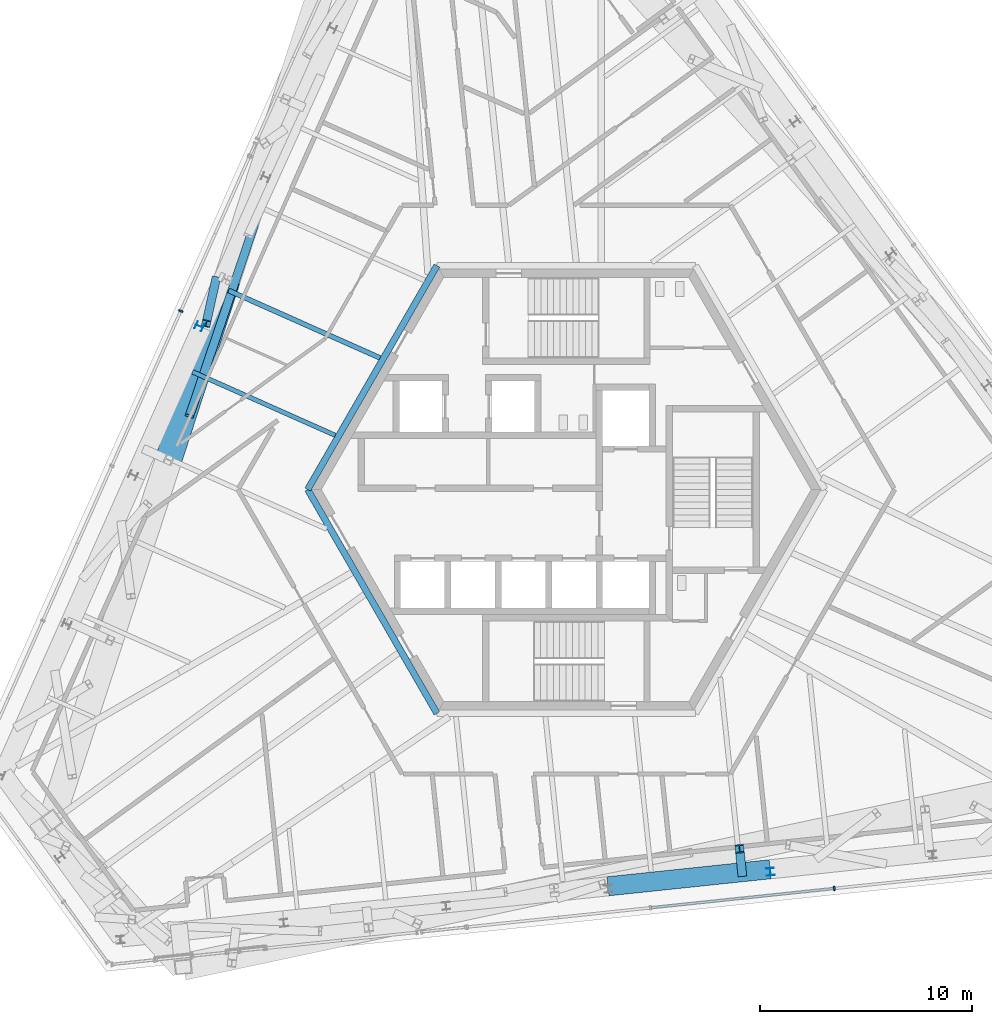
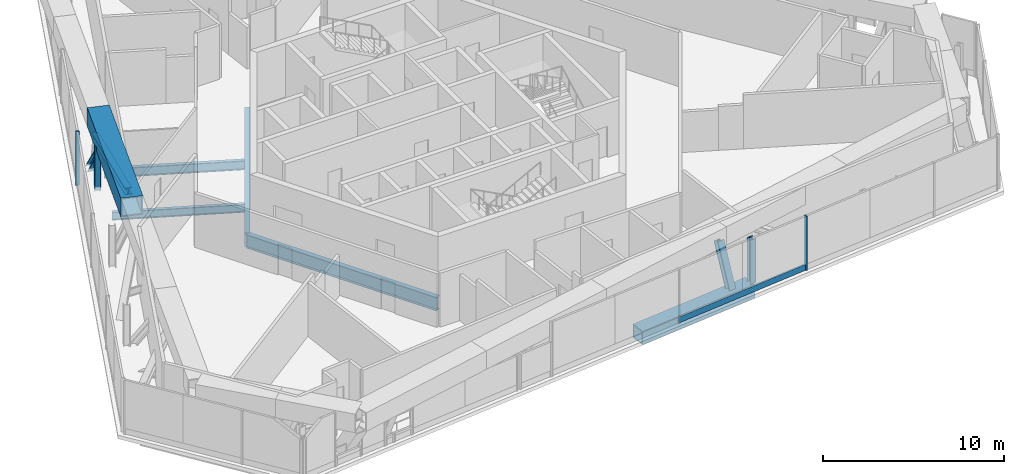
# One storey, part 3 of 23: 10 members, 4 beams, 2 elements without a shape of their own.
"""IFC4 building model written with IfcOpenShell, lengths in metres."""

from ifc_helpers import new_model, si_unit, direction, frame, origin, origin_2d, place, context, subcontext, project, spatial, rectangle, hollow_rectangle, i_section, extrude, source, transform, mapped, material, material_profile, profile_set, type_object, element, aggregate, save


model = new_model("IFC4")

# Units and contexts
model_context = context("Model", 3, precision=1e-05, world=origin(), true_north=direction((0.0, 1.0)))
body_context = subcontext(model_context, "Body", "Model", "MODEL_VIEW")
ifc_project = project(units=[si_unit("LENGTHUNIT", "METRE"), si_unit("AREAUNIT", "SQUARE_METRE"), si_unit("VOLUMEUNIT", "CUBIC_METRE"), si_unit("PLANEANGLEUNIT", "RADIAN"), si_unit("MASSUNIT", "GRAM", prefix="KILO")], contexts=[model_context])

# Site, building, storey
site_placement = place(None, origin())
site = spatial("IfcSite", under=ifc_project, at=site_placement, CompositionType="ELEMENT")
building_placement = place(site_placement, origin())
building = spatial("IfcBuilding", under=site, at=building_placement, Name="Triune Harvest Tower", CompositionType="ELEMENT")
storey_placement = place(building_placement, frame((0.0, 0.0, 255.699951171875)))
storey = spatial("IfcBuildingStorey", under=building, at=storey_placement, Name="L67", CompositionType="ELEMENT", Elevation=255.699951171875)

# Beams
ifc_material_1 = material(Name="Steel ASTM A992 Gr 50", Category="steel")
ifc_material_profile_1 = material_profile(ifc_material_1, i_section(OverallWidth=0.3046875, OverallDepth=0.914306640625, WebThickness=0.0166015625, FlangeThickness=0.02587890625, at=origin_2d()), Name="W36x160")
ifc_profile_set_1 = profile_set([ifc_material_profile_1], Name="Steel ASTM A992 Gr 50")
beam_type_1 = type_object("IfcBeamType", Name="CG-1 Core ring girder W36x160", PredefinedType="BEAM", material=ifc_profile_set_1)
shared_shape_1 = source(origin(), body_context, "Body", "SweptSolid", [
    extrude(i_section(OverallWidth=0.3046875, OverallDepth=0.914306640625, WebThickness=0.0166015625, FlangeThickness=0.02587890625, at=origin_2d()), origin(), (0.0, 0.0, 1.0), 12.176025390625),
])
for number, where, z_axis, x_axis, name in (
    (1, (-6.087890625, 10.544677734375, -0.70703125), (-0.5000099932, -0.866019634131, 0.0), (0.866019634131, -0.5000099932, 0.0), "beam/L67/CG3"),
    (2, (-12.176025390625, 0.0, -0.70703125), (0.5000099932, -0.866019634131, 0.0), (0.866019634131, 0.5000099932, 0.0), "beam/L67/CG4"),
):
    element("IfcBeam", number, at=place(storey_placement, frame(where, z_axis=z_axis, x_axis=x_axis)), inside=storey, type_object=beam_type_1, Name=name, PredefinedType="BEAM", context=body_context, shape_type="MappedRepresentation", body=[
        mapped(shared_shape_1, transform((0.0, 0.0, 0.0), scale=1.0)),
    ])
ifc_material_2 = material(Name="Steel ASTM A992 Gr 50", Category="steel")
ifc_material_profile_2 = material_profile(ifc_material_2, i_section(OverallWidth=0.22900390625, OverallDepth=0.612060546875, WebThickness=0.011962890625, FlangeThickness=0.01953125, at=origin_2d()), Name="W24x84")
ifc_profile_set_2 = profile_set([ifc_material_profile_2], Name="Steel ASTM A992 Gr 50")
beam_type_2 = type_object("IfcBeamType", Name="JT-3 Floor joist W24x84", PredefinedType="JOIST", material=ifc_profile_set_2)
shared_shape_2 = source(origin(), body_context, "Body", "SweptSolid", [
    extrude(i_section(OverallWidth=0.22900390625, OverallDepth=0.612060546875, WebThickness=0.011962890625, FlangeThickness=0.01953125, at=origin_2d()), origin(), (0.0, 0.0, 1.0), 7.802001953125),
])
beam_1_placement = place(storey_placement, frame((-15.900634765625, 9.3720703125, -0.55615234375), z_axis=(0.913545530184, -0.406736480144, 0.0), x_axis=(0.406736480144, 0.913545530184, 0.0)))
element("IfcBeam", 3, at=beam_1_placement, inside=storey, type_object=beam_type_2, Name="beam/L67/JT17", PredefinedType="JOIST", context=body_context, shape_type="MappedRepresentation", body=[
    mapped(shared_shape_2, transform((0.0, 0.0, 0.0), scale=1.0)),
])
ifc_material_3 = material(Name="Steel ASTM A992 Gr 50", Category="steel")
ifc_material_profile_3 = material_profile(ifc_material_3, i_section(OverallWidth=0.2099609375, OverallDepth=0.535888671875, WebThickness=0.010986328125, FlangeThickness=0.017333984375, at=origin_2d()), Name="W21x68")
ifc_profile_set_3 = profile_set([ifc_material_profile_3], Name="Steel ASTM A992 Gr 50")
beam_type_3 = type_object("IfcBeamType", Name="JT-2 Floor joist W21x68", PredefinedType="JOIST", material=ifc_profile_set_3)
shared_shape_3 = source(origin(), body_context, "Body", "SweptSolid", [
    extrude(i_section(OverallWidth=0.2099609375, OverallDepth=0.535888671875, WebThickness=0.010986328125, FlangeThickness=0.017333984375, at=origin_2d()), origin(), (0.0, 0.0, 1.0), 7.36181640625),
])
beam_2_placement = place(storey_placement, frame((-17.6044921875, 5.54541015625, -0.51806640625), z_axis=(0.913541940705, -0.406744542155, 0.0), x_axis=(0.406744542155, 0.913541940705, 0.0)))
element("IfcBeam", 4, at=beam_2_placement, inside=storey, type_object=beam_type_3, Name="beam/L67/JT18", PredefinedType="JOIST", context=body_context, shape_type="MappedRepresentation", body=[
    mapped(shared_shape_3, transform((0.0, 0.0, 0.0), scale=1.0)),
])

# Members
ifc_material_4 = material(Name="Steel ASTM A992 Gr 50", Category="steel")
ifc_material_profile_4 = material_profile(ifc_material_4, i_section(OverallWidth=0.368408203125, OverallDepth=0.355712890625, WebThickness=0.01123046875, FlangeThickness=0.01806640625, at=origin_2d()), Name="W14x90")
ifc_profile_set_4 = profile_set([ifc_material_profile_4], Name="Steel ASTM A992 Gr 50")
member_type_1 = type_object("IfcMemberType", Name="WP-6 Roof edge post W14x90", PredefinedType="POST", material=ifc_profile_set_4)
shared_shape_4 = source(origin(), body_context, "Body", "SweptSolid", [
    extrude(i_section(OverallWidth=0.368408203125, OverallDepth=0.355712890625, WebThickness=0.01123046875, FlangeThickness=0.01806640625, at=origin_2d()), origin(), (0.0, 0.0, 1.0), 2.9755859375),
])
for number, where, z_axis, x_axis, name in (
    (5, (-17.273193359375, 7.690673828125, -0.25), (0.0, 0.0, 1.0), (-0.406738237513, -0.913544747752, 0.0), "post/L67/W11"),
    (6, (9.61376953125, -18.001708984375, -0.25), (0.0, 0.0, 1.0), (0.99452171293, 0.104530199036, 0.0), "post/L67/W20"),
):
    element("IfcMember", number, at=place(storey_placement, frame(where, z_axis=z_axis, x_axis=x_axis)), inside=storey, type_object=member_type_1, Name=name, PredefinedType="POST", context=body_context, shape_type="MappedRepresentation", body=[
        mapped(shared_shape_4, transform((0.0, 0.0, 0.0), scale=1.0)),
    ])
ifc_material_5 = material(Name="Steel ASTM A572 Gr 50", Category="steel")
ifc_material_profile_5 = material_profile(ifc_material_5, hollow_rectangle(XDim=0.89990234375, YDim=0.89990234375, WallThickness=0.050048828125, at=origin_2d()), Name="Box 900x900x50")
ifc_profile_set_5 = profile_set([ifc_material_profile_5], Name="Steel ASTM A572 Gr 50")
member_type_2 = type_object("IfcMemberType", Name="TC-2 Belt truss chord Box 900x900x50", PredefinedType="CHORD", material=ifc_profile_set_5)
shared_shape_5 = source(origin(), body_context, "Body", "SweptSolid", [
    extrude(hollow_rectangle(XDim=0.89990234375, YDim=0.89990234375, WallThickness=0.050048828125, at=origin_2d()), origin(), (0.0, 0.0, 1.0), 7.679443359375),
])
member_1_placement = place(storey_placement, frame((1.9638671875, -18.68505859375, -0.699951171875), z_axis=(0.994521815363, 0.104529224464, 0.0), x_axis=(-0.104529224464, 0.994521815363, 0.0)))
element("IfcMember", 7, at=member_1_placement, inside=storey, type_object=member_type_2, Name="truss/L67/TCB20", PredefinedType="CHORD", context=body_context, shape_type="MappedRepresentation", body=[
    mapped(shared_shape_5, transform((0.0, 0.0, 0.0), scale=1.0)),
])
ifc_material_6 = material(Name="Steel ASTM A572 Gr 50", Category="steel")
ifc_material_profile_6 = material_profile(ifc_material_6, hollow_rectangle(XDim=1.25, YDim=1.25, WallThickness=0.070068359375, at=origin_2d()), Name="Box 1250x1250x70")
ifc_profile_set_6 = profile_set([ifc_material_profile_6], Name="Steel ASTM A572 Gr 50")
member_type_3 = type_object("IfcMemberType", Name="TC-1 Belt truss chord Box 1250x1250x70", PredefinedType="CHORD", material=ifc_profile_set_6)
shared_shape_6 = source(origin(), body_context, "Body", "SweptSolid", [
    extrude(hollow_rectangle(XDim=1.25, YDim=1.25, WallThickness=0.070068359375, at=origin_2d()), origin(), (0.0, 0.0, 1.0), 8.927978515625),
])
member_2_placement = place(storey_placement, frame((-15.971923828125, 9.88330078125, 3.01513671875), z_axis=(-0.309007542926, -0.951059587205, 0.0), x_axis=(0.951059587205, -0.309007542926, 0.0)))
element("IfcMember", 8, at=member_2_placement, inside=storey, type_object=member_type_3, Name="truss/L67/TCT10", PredefinedType="CHORD", context=body_context, shape_type="MappedRepresentation", body=[
    mapped(shared_shape_6, transform((0.0, 0.0, 0.0), scale=1.0)),
])
ifc_material_7 = material(Name="Steel ASTM A992 Gr 50", Category="steel")
ifc_material_profile_7 = material_profile(ifc_material_7, i_section(OverallWidth=0.411376953125, OverallDepth=0.434326171875, WebThickness=0.035888671875, FlangeThickness=0.057373046875, at=origin_2d()), Name="W14x311")
ifc_profile_set_7 = profile_set([ifc_material_profile_7], Name="Steel ASTM A992 Gr 50")
member_type_4 = type_object("IfcMemberType", Name="TV-1 Belt truss strut W14x311", PredefinedType="STRUT", material=ifc_profile_set_7)
shared_shape_7 = source(origin(), body_context, "Body", "SweptSolid", [
    extrude(i_section(OverallWidth=0.411376953125, OverallDepth=0.434326171875, WebThickness=0.035888671875, FlangeThickness=0.057373046875, at=origin_2d()), origin(), (0.0, 0.0, 1.0), 2.919189453125),
])
member_3_placement = place(storey_placement, frame((8.275634765625, -18.021484375, -0.27490234375), z_axis=(-0.039724886125, 0.378180915912, 0.924878980333), x_axis=(-0.994528326067, -0.104467261141, 0.0)))
element("IfcMember", 9, at=member_3_placement, inside=storey, type_object=member_type_4, Name="truss/L67/TS18", PredefinedType="STRUT", context=body_context, shape_type="MappedRepresentation", body=[
    mapped(shared_shape_7, transform((0.0, 0.0, 0.0), scale=1.0)),
])
ifc_material_8 = material(Name="Steel ASTM A992 Gr 50", Category="steel")
ifc_material_profile_8 = material_profile(ifc_material_8, i_section(OverallWidth=0.40380859375, OverallDepth=0.406494140625, WebThickness=0.027099609375, FlangeThickness=0.043701171875, at=origin_2d()), Name="W14x233")
ifc_profile_set_8 = profile_set([ifc_material_profile_8], Name="Steel ASTM A992 Gr 50")
member_type_5 = type_object("IfcMemberType", Name="TD-3 Belt truss diagonal W14x233", PredefinedType="BRACE", material=ifc_profile_set_8)
shared_shape_8 = source(origin(), body_context, "Body", "SweptSolid", [
    extrude(i_section(OverallWidth=0.40380859375, OverallDepth=0.406494140625, WebThickness=0.027099609375, FlangeThickness=0.043701171875, at=origin_2d()), origin(), (0.0, 0.0, 1.0), 3.462890625),
])
member_4_placement = place(storey_placement, frame((-16.500732421875, 9.868408203125, -0.324951171875), z_axis=(-0.132051718544, -0.59321044305, 0.794143383707), x_axis=(0.97610783545, -0.217286662206, 0.0)))
element("IfcMember", 10, at=member_4_placement, inside=storey, type_object=member_type_5, Name="truss/L67/TD20", PredefinedType="BRACE", context=body_context, shape_type="MappedRepresentation", body=[
    mapped(shared_shape_8, transform((0.0, 0.0, 0.0), scale=1.0)),
])
shared_shape_9 = source(origin(), body_context, "Body", "SweptSolid", [
    extrude(i_section(OverallWidth=0.40380859375, OverallDepth=0.406494140625, WebThickness=0.027099609375, FlangeThickness=0.043701171875, at=origin_2d()), origin(), (0.0, 0.0, 1.0), 9.862060546875),
])
member_5_placement = place(storey_placement, frame((-14.703125, 12.4306640625, -0.324951171875), z_axis=(-0.308426520718, -0.909460913248, 0.278843914389), x_axis=(0.947023229165, -0.321165071919, 0.0)))
element("IfcMember", 11, at=member_5_placement, inside=storey, type_object=member_type_5, Name="truss/L67/TD19", PredefinedType="BRACE", context=body_context, shape_type="MappedRepresentation", body=[
    mapped(shared_shape_9, transform((0.0, 0.0, 0.0), scale=1.0)),
])

# Curtain wall, member
ifc_material_9 = material(Name="Aluminium bronze anodised", Category="aluminium")
curtain_wall_type = type_object("IfcCurtainWallType", Name="CW-5 Plant louvre wall", PredefinedType="NOTDEFINED", material=ifc_material_9)
curtain_wall_1_placement = place(storey_placement, origin())
curtain_wall_1 = element("IfcCurtainWall", 12, at=curtain_wall_1_placement, inside=storey, type_object=curtain_wall_type, Name="CW-5 B6-F3 L67 run 801")
ifc_material_10 = material(Name="Aluminium bronze anodised", Category="aluminium")
ifc_material_profile_9 = material_profile(ifc_material_10, rectangle(XDim=0.199951171875, YDim=0.080078125, at=origin_2d()), Name="MU-5 mullion 80 x 200")
ifc_profile_set_9 = profile_set([ifc_material_profile_9], Name="Aluminium bronze anodised")
member_type_6 = type_object("IfcMemberType", Name="MU-5 mullion 80 x 200", PredefinedType="MULLION", material=ifc_profile_set_9)
shared_shape_10 = source(origin(), body_context, "Body", "SweptSolid", [
    extrude(rectangle(XDim=0.199951171875, YDim=0.080078125, at=origin_2d()), origin(), (0.0, 0.0, 1.0), 3.64013671875),
])
member_6_placement = place(storey_placement, frame((-18.154052734375, 8.405517578125, 0.0), z_axis=(0.0, 0.0, 1.0), x_axis=(0.913545020627, -0.406737624627, 0.0)))
member_6 = element("IfcMember", 13, at=member_6_placement, type_object=member_type_6, Name="CW-5 mullion B6-F3 801.3", PredefinedType="MULLION", context=body_context, shape_type="MappedRepresentation", body=[
    mapped(shared_shape_10, transform((0.0, 0.0, 0.0), scale=1.0)),
])
aggregate(curtain_wall_1, [member_6])

# Curtain wall, members
curtain_wall_2_placement = place(storey_placement, origin())
curtain_wall_2 = element("IfcCurtainWall", 14, at=curtain_wall_2_placement, inside=storey, type_object=curtain_wall_type, Name="CW-5 B6-F5 L67 run 801")
member_7_placement = place(storey_placement, frame((12.6220703125, -18.786865234375, 0.0), z_axis=(0.0, 0.0, 1.0), x_axis=(-0.104530371484, 0.994521694805, 0.0)))
member_7 = element("IfcMember", 15, at=member_7_placement, type_object=member_type_6, Name="CW-5 mullion B6-F5 801.5", PredefinedType="MULLION", context=body_context, shape_type="MappedRepresentation", body=[
    mapped(shared_shape_10, transform((0.0, 0.0, 0.0), scale=1.0)),
])
ifc_material_11 = material(Name="Aluminium bronze anodised", Category="aluminium")
ifc_material_profile_10 = material_profile(ifc_material_11, rectangle(XDim=0.10009765625, YDim=0.39990234375, at=origin_2d()), Name="TR-5 transom 100 x 400")
ifc_profile_set_10 = profile_set([ifc_material_profile_10], Name="Aluminium bronze anodised")
member_type_7 = type_object("IfcMemberType", Name="TR-5 transom 100 x 400", PredefinedType="USERDEFINED", material=ifc_profile_set_10)
shared_shape_11 = source(origin(), body_context, "Body", "SweptSolid", [
    extrude(rectangle(XDim=0.10009765625, YDim=0.39990234375, at=origin_2d()), origin(), (0.0, 0.0, 1.0), 8.62744140625),
])
member_8_placement = place(storey_placement, frame((4.00244140625, -19.69287109375, 0.199951171875), z_axis=(0.994524199274, 0.104506540744, 0.0), x_axis=(-0.104506540744, 0.994524199274, 0.0)))
member_8 = element("IfcMember", 16, at=member_8_placement, type_object=member_type_7, Name="CW-5 transom B6-F5 801.2", ObjectType="TRANSOM", PredefinedType="USERDEFINED", context=body_context, shape_type="MappedRepresentation", body=[
    mapped(shared_shape_11, transform((0.0, 0.0, 0.0), scale=1.0)),
])
aggregate(curtain_wall_2, [member_7, member_8])

save(model, "model.ifc")
